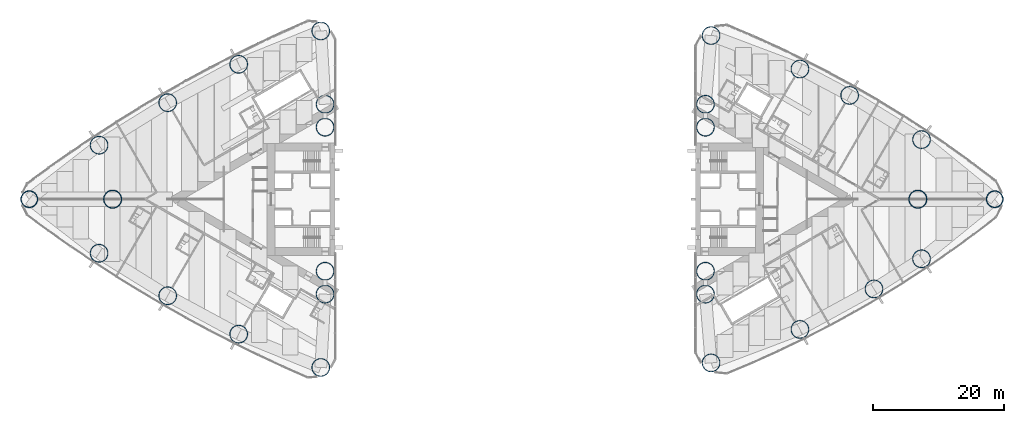
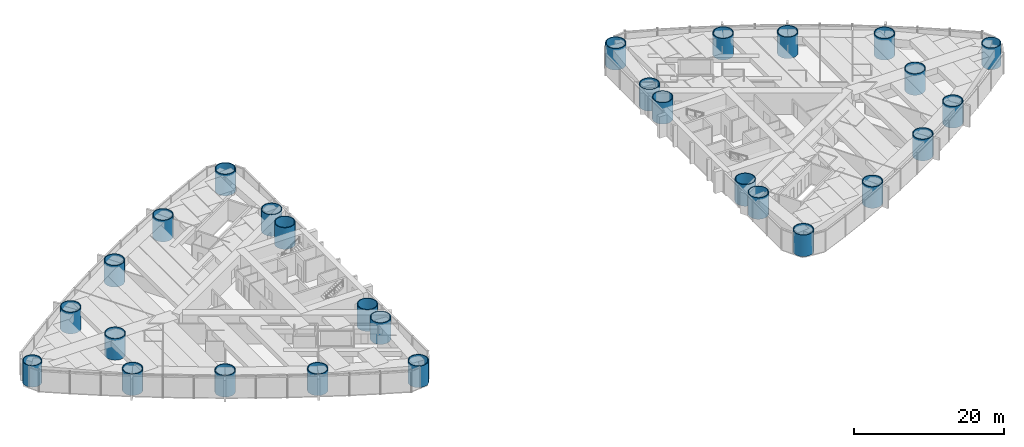
# One storey, part 1 of 19: 28 columns.
"""IFC4 building model written with IfcOpenShell, lengths in metres."""

from ifc_helpers import new_model, si_unit, direction, frame, origin, origin_2d, place, context, subcontext, project, spatial, hollow_circle, extrude, material, material_profile, profile_set, type_object, element, save


model = new_model("IFC4")

# Units and contexts
model_context = context("Model", 3, precision=1e-05, world=origin(), true_north=direction((0.0, 1.0)))
body_context = subcontext(model_context, "Body", "Model", "MODEL_VIEW")
ifc_project = project(units=[si_unit("LENGTHUNIT", "METRE"), si_unit("AREAUNIT", "SQUARE_METRE"), si_unit("VOLUMEUNIT", "CUBIC_METRE"), si_unit("PLANEANGLEUNIT", "RADIAN"), si_unit("MASSUNIT", "GRAM", prefix="KILO")], contexts=[model_context])

# Site, building, storey
site_placement = place(None, origin())
site = spatial("IfcSite", under=ifc_project, at=site_placement, CompositionType="ELEMENT")
building_placement = place(site_placement, origin())
building = spatial("IfcBuilding", under=site, at=building_placement, Name="Lancet Gate Hotel", CompositionType="ELEMENT")
storey_placement = place(building_placement, frame((0.0, 0.0, 70.5)))
storey = spatial("IfcBuildingStorey", under=building, at=storey_placement, Name="L18", CompositionType="ELEMENT", Elevation=70.5)

# Columns
ifc_material_1 = material(Name="Composite filled tube, grade 460 plate, grade 80/95 fill", Category="composite")
ifc_material_profile_1 = material_profile(ifc_material_1, hollow_circle(Radius=1.39990234375, WallThickness=0.10009765625, at=origin_2d()), Name="CHS 2800x100")
ifc_profile_set_1 = profile_set([ifc_material_profile_1], Name="Composite filled tube, grade 460 plate, grade 80/95 fill")
column_type_1 = type_object("IfcColumnType", Name="Apex column CFT CHS 2800x100", PredefinedType="COLUMN", material=ifc_profile_set_1)
for number, where, z_axis, x_axis, name in (
    (1, (-61.5, 0.0, 0.0), (0.0, 0.0, 1.0), (1.0, 0.0, 0.0), "T1 column AX L18"),
    (2, (61.5, 0.0, 0.0), (0.0, 0.0, 1.0), (1.0, 0.0, 0.0), "T2 column AX L18"),
):
    element("IfcColumn", number, at=place(storey_placement, frame(where, z_axis=z_axis, x_axis=x_axis)), inside=storey, type_object=column_type_1, Name=name, PredefinedType="COLUMN", context=body_context, shape_type="SweptSolid", body=[
        extrude(hollow_circle(Radius=1.39990234375, WallThickness=0.10009765625, at=origin_2d()), origin(), (0.0, 0.0, 1.0), 3.5),
    ])
ifc_material_2 = material(Name="Composite filled tube, grade 460 plate, grade 80/95 fill", Category="composite")
ifc_material_profile_2 = material_profile(ifc_material_2, hollow_circle(Radius=1.300048828125, WallThickness=0.10009765625, at=origin_2d()), Name="CHS 2600x100")
ifc_profile_set_2 = profile_set([ifc_material_profile_2], Name="Composite filled tube, grade 460 plate, grade 80/95 fill")
column_type_2 = type_object("IfcColumnType", Name="Apex corner column CFT CHS 2600x100", PredefinedType="COLUMN", material=ifc_profile_set_2)
for number, where, z_axis, x_axis, name in (
    (3, (-74.235107421875, 0.0, 0.0), (0.0, 0.0, 1.0), (1.0, 0.0, 0.0), "T1 column CA L18"),
    (4, (73.2392578125, 0.0, 0.0), (0.0, 0.0, 1.0), (1.0, 0.0, 0.0), "T2 column CA L18"),
):
    element("IfcColumn", number, at=place(storey_placement, frame(where, z_axis=z_axis, x_axis=x_axis)), inside=storey, type_object=column_type_2, Name=name, PredefinedType="COLUMN", context=body_context, shape_type="SweptSolid", body=[
        extrude(hollow_circle(Radius=1.300048828125, WallThickness=0.10009765625, at=origin_2d()), origin(), (0.0, 0.0, 1.0), 3.5),
    ])
ifc_material_3 = material(Name="Composite filled tube, grade 460 plate, grade 80/95 fill", Category="composite")
ifc_material_profile_3 = material_profile(ifc_material_3, hollow_circle(Radius=1.39990234375, WallThickness=0.1201171875, at=origin_2d()), Name="CHS 2800x120")
ifc_profile_set_3 = profile_set([ifc_material_profile_3], Name="Composite filled tube, grade 460 plate, grade 80/95 fill")
column_type_3 = type_object("IfcColumnType", Name="Perimeter column CFT CHS 2800x120", PredefinedType="COLUMN", material=ifc_profile_set_3)
for number, where, z_axis, x_axis, name in (
    (5, (-29.703369140625, -25.70263671875, 0.0), (0.0, 0.0, 1.0), (1.0, 0.0, 0.0), "T1 column CN L18"),
    (6, (-29.703369140625, 25.70263671875, 0.0), (0.0, 0.0, 1.0), (1.0, 0.0, 0.0), "T1 column CS L18"),
    (7, (-29.050048828125, -11.0, 0.0), (0.0, 0.0, 1.0), (1.0, 0.0, 0.0), "T1 column IN L18"),
    (8, (-29.050048828125, 11.0, 0.0), (0.0, 0.0, 1.0), (1.0, 0.0, 0.0), "T1 column IS L18"),
    (9, (-29.050048828125, 14.5, 0.0), (0.0, 0.0, 1.0), (1.0, 0.0, 0.0), "T1 column IT L18"),
    (10, (-29.050048828125, -14.5, 0.0), (0.0, 0.0, 1.0), (1.0, 0.0, 0.0), "T1 column JT L18"),
    (11, (-63.57177734375, -8.255126953125, 0.0), (0.0, 0.0, 1.0), (1.0, 0.0, 0.0), "T1 column ON1 L18"),
    (12, (-53.090087890625, -14.744873046875, 0.0), (0.0, 0.0, 1.0), (1.0, 0.0, 0.0), "T1 column ON2 L18"),
    (13, (-42.2451171875, -20.607421875, 0.0), (0.0, 0.0, 1.0), (1.0, 0.0, 0.0), "T1 column ON3 L18"),
    (14, (-42.2451171875, 20.607421875, 0.0), (0.0, 0.0, 1.0), (1.0, 0.0, 0.0), "T1 column OS1 L18"),
    (15, (-53.090087890625, 14.744873046875, 0.0), (0.0, 0.0, 1.0), (1.0, 0.0, 0.0), "T1 column OS2 L18"),
    (16, (-63.57177734375, 8.255126953125, 0.0), (0.0, 0.0, 1.0), (1.0, 0.0, 0.0), "T1 column OS3 L18"),
    (17, (29.9111328125, 25.00244140625, 0.0), (0.0, 0.0, 1.0), (1.0, 0.0, 0.0), "T2 column CN L18"),
    (18, (29.9111328125, -25.00244140625, 0.0), (0.0, 0.0, 1.0), (1.0, 0.0, 0.0), "T2 column CS L18"),
    (19, (29.050048828125, 11.0, 0.0), (0.0, 0.0, 1.0), (1.0, 0.0, 0.0), "T2 column IN L18"),
    (20, (29.050048828125, -11.0, 0.0), (0.0, 0.0, 1.0), (1.0, 0.0, 0.0), "T2 column IS L18"),
    (21, (29.050048828125, -14.5, 0.0), (0.0, 0.0, 1.0), (1.0, 0.0, 0.0), "T2 column IT L18"),
    (22, (29.050048828125, 14.5, 0.0), (0.0, 0.0, 1.0), (1.0, 0.0, 0.0), "T2 column JT L18"),
    (23, (62.059326171875, 9.10498046875, 0.0), (0.0, 0.0, 1.0), (1.0, 0.0, 0.0), "T2 column ON1 L18"),
    (24, (51.07763671875, 15.8583984375, 0.0), (0.0, 0.0, 1.0), (1.0, 0.0, 0.0), "T2 column ON2 L18"),
    (25, (43.484130859375, 19.886474609375, 0.0), (0.0, 0.0, 1.0), (1.0, 0.0, 0.0), "T2 column ON3 L18"),
    (26, (43.484130859375, -19.886474609375, 0.0), (0.0, 0.0, 1.0), (1.0, 0.0, 0.0), "T2 column OS1 L18"),
    (27, (54.795166015625, -13.70068359375, 0.0), (0.0, 0.0, 1.0), (1.0, 0.0, 0.0), "T2 column OS2 L18"),
    (28, (62.059326171875, -9.10498046875, 0.0), (0.0, 0.0, 1.0), (1.0, 0.0, 0.0), "T2 column OS3 L18"),
):
    element("IfcColumn", number, at=place(storey_placement, frame(where, z_axis=z_axis, x_axis=x_axis)), inside=storey, type_object=column_type_3, Name=name, PredefinedType="COLUMN", context=body_context, shape_type="SweptSolid", body=[
        extrude(hollow_circle(Radius=1.39990234375, WallThickness=0.1201171875, at=origin_2d()), origin(), (0.0, 0.0, 1.0), 3.5),
    ])

save(model, "model.ifc")
